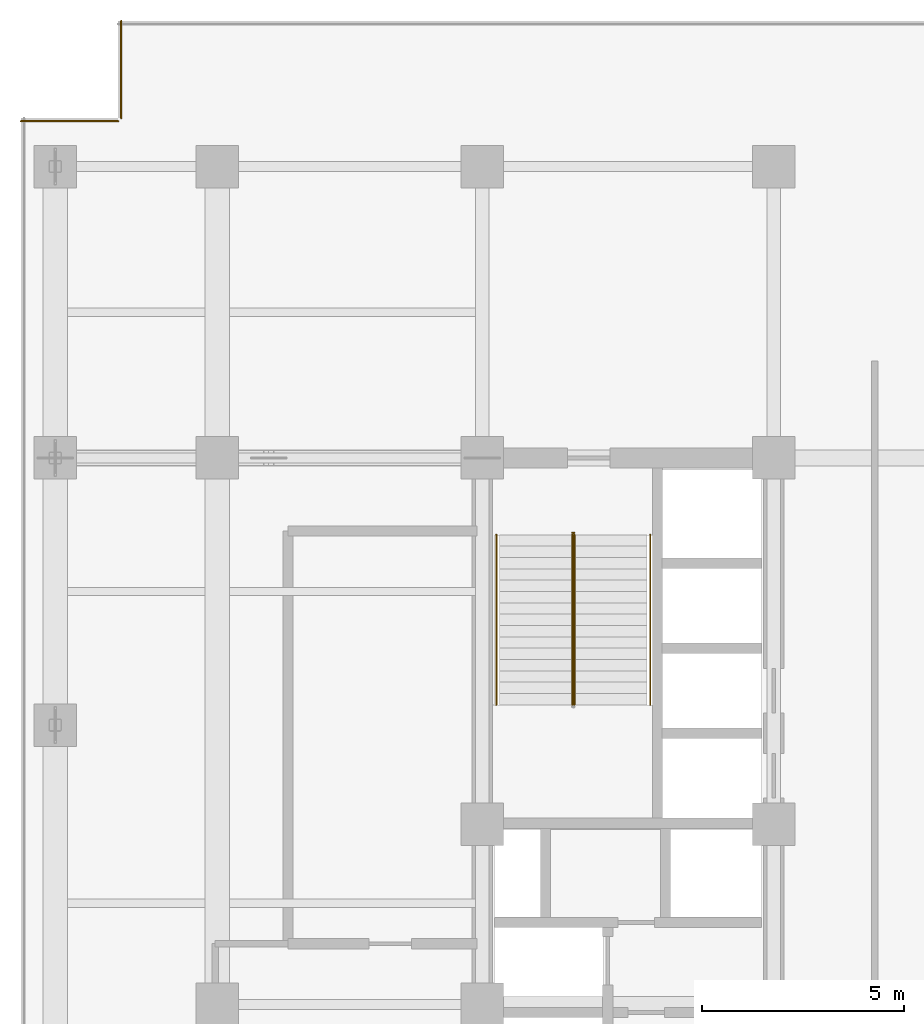
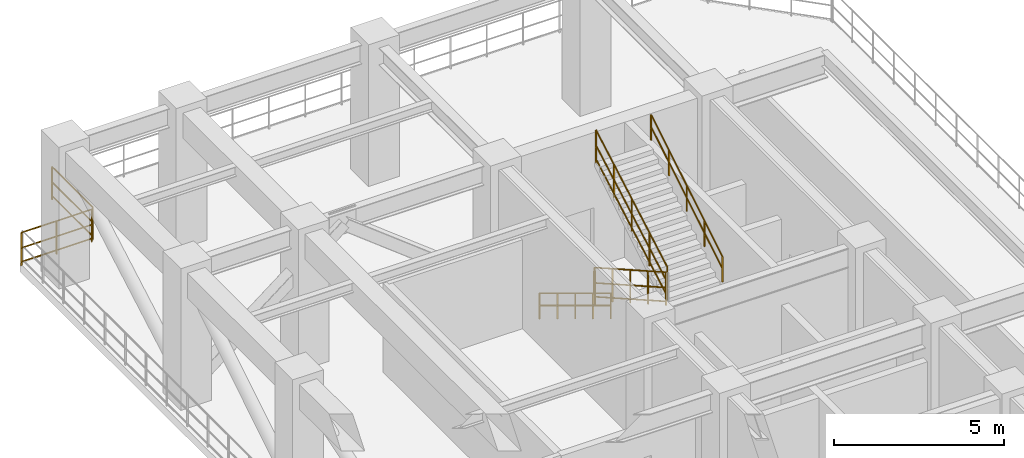
# One storey, part 15 of 16: 7 railings.
"""IFC4 building model written with IfcOpenShell, lengths in metres."""

from ifc_helpers import new_model, entity, si_unit, converted_unit, direction, frame, origin_with_axes, origin_2d_with_axis, place, context, subcontext, project, spatial, rectangle, circle, extrude, material, type_object, element, save


model = new_model("IFC4")

# Units and contexts
model_context = context("Model", 3, precision=1e-05, world=origin_with_axes(), true_north=direction((0.0, 1.0)))
body_context = subcontext(model_context, "Body", "Model", "MODEL_VIEW")
ifc_project = project(units=[si_unit("LENGTHUNIT", "METRE"), si_unit("AREAUNIT", "SQUARE_METRE"), si_unit("VOLUMEUNIT", "CUBIC_METRE"), converted_unit("PLANEANGLEUNIT", "DEGREE", entity("IfcPlaneAngleMeasure", 0.017453292519943295), si_unit("PLANEANGLEUNIT", "RADIAN"), dimensions=[0, 0, 0, 0, 0, 0, 0]), si_unit("MASSUNIT", "GRAM", prefix="KILO"), si_unit("THERMODYNAMICTEMPERATUREUNIT", "KELVIN")], contexts=[model_context])

# Site, building, storey
site_placement = place(None, origin_with_axes())
site = spatial("IfcSite", under=ifc_project, at=site_placement, CompositionType="ELEMENT")
building_placement = place(site_placement, origin_with_axes())
building = spatial("IfcBuilding", under=site, at=building_placement, Name="Varnlund Millrace Tower", CompositionType="ELEMENT")
storey_placement = place(building_placement, frame((0.0, 0.0, 187.5), z_axis=(0.0, 0.0, 1.0), x_axis=(1.0, 0.0, 0.0)))
storey = spatial("IfcBuildingStorey", under=building, at=storey_placement, Name="L46", CompositionType="ELEMENT", Elevation=187.5)

# Railings
ifc_material_1 = material(Name="Architectural bronze balustrade guard", Category="aluminium")
railing_type_1 = type_object("IfcRailingType", Name="Type-Guard-Perimeter-1150", PredefinedType="BALUSTRADE", material=ifc_material_1)
railing_1_placement = place(storey_placement, frame((0.0, 0.0, -187.5), z_axis=(0.0, 0.0, 1.0), x_axis=(1.0, 0.0, 0.0)))
element("IfcRailing", 1, at=railing_1_placement, inside=storey, type_object=railing_type_1, Name="Type-Guard-Perimeter-1150", PredefinedType="BALUSTRADE", context=body_context, shape_type="SweptSolid", body=[
    extrude(circle(Radius=0.024, at=origin_2d_with_axis()), frame((2.48, 48.6, 188.65), z_axis=(0.0, -1.0, 0.0), x_axis=(1.0, 0.0, 0.0)), (0.0, 0.0, 1.0), 2.4),
    extrude(circle(Radius=0.024, at=origin_2d_with_axis()), frame((2.48, 48.6, 187.6), z_axis=(0.0, -1.0, 0.0), x_axis=(1.0, 0.0, 0.0)), (0.0, 0.0, 1.0), 2.4),
    extrude(circle(Radius=0.024, at=origin_2d_with_axis()), frame((2.48, 48.6, 188.098), z_axis=(0.0, -1.0, 0.0), x_axis=(1.0, 0.0, 0.0)), (0.0, 0.0, 1.0), 2.4),
    extrude(rectangle(XDim=0.04, YDim=0.04, at=origin_2d_with_axis()), frame((2.48, 48.6, 187.46), z_axis=(0.0, 0.0, 1.0), x_axis=(1.0, 0.0, 0.0)), (0.0, 0.0, 1.0), 1.19),
    extrude(rectangle(XDim=0.04, YDim=0.04, at=origin_2d_with_axis()), frame((2.48, 46.2, 187.46), z_axis=(0.0, 0.0, 1.0), x_axis=(1.0, 0.0, 0.0)), (0.0, 0.0, 1.0), 1.19),
])
railing_2_placement = place(storey_placement, frame((0.0, 0.0, -187.5), z_axis=(0.0, 0.0, 1.0), x_axis=(1.0, 0.0, 0.0)))
element("IfcRailing", 2, at=railing_2_placement, inside=storey, type_object=railing_type_1, Name="Type-Guard-Perimeter-1150", PredefinedType="BALUSTRADE", context=body_context, shape_type="SweptSolid", body=[
    extrude(circle(Radius=0.024, at=origin_2d_with_axis()), frame((2.4, 46.12, 188.65), z_axis=(-1.0, 0.0, 0.0), x_axis=(0.0, -1.0, 0.0)), (0.0, 0.0, 1.0), 2.4),
    extrude(circle(Radius=0.024, at=origin_2d_with_axis()), frame((2.4, 46.12, 187.6), z_axis=(-1.0, 0.0, 0.0), x_axis=(0.0, -1.0, 0.0)), (0.0, 0.0, 1.0), 2.4),
    extrude(circle(Radius=0.024, at=origin_2d_with_axis()), frame((2.4, 46.12, 188.098), z_axis=(-1.0, 0.0, 0.0), x_axis=(0.0, -1.0, 0.0)), (0.0, 0.0, 1.0), 2.4),
    extrude(rectangle(XDim=0.04, YDim=0.04, at=origin_2d_with_axis()), frame((2.4, 46.12, 187.46), z_axis=(0.0, 0.0, 1.0), x_axis=(1.0, 0.0, 0.0)), (0.0, 0.0, 1.0), 1.19),
    extrude(rectangle(XDim=0.04, YDim=0.04, at=origin_2d_with_axis()), frame((1.2, 46.12, 187.46), z_axis=(0.0, 0.0, 1.0), x_axis=(1.0, 0.0, 0.0)), (0.0, 0.0, 1.0), 1.19),
    extrude(rectangle(XDim=0.04, YDim=0.04, at=origin_2d_with_axis()), frame((0.0, 46.12, 187.46), z_axis=(0.0, 0.0, 1.0), x_axis=(1.0, 0.0, 0.0)), (0.0, 0.0, 1.0), 1.19),
])
ifc_material_2 = material(Name="Painted steel stair well balustrade guard", Category="steel")
railing_type_2 = type_object("IfcRailingType", Name="Type-StairGuard-1150", PredefinedType="GUARDRAIL", material=ifc_material_2)
railing_3_placement = place(storey_placement, frame((0.0, 0.0, -187.5), z_axis=(0.0, 0.0, 1.0), x_axis=(1.0, 0.0, 0.0)))
element("IfcRailing", 3, at=railing_3_placement, inside=storey, type_object=railing_type_2, Name="Type-StairGuard-1150", PredefinedType="GUARDRAIL", context=body_context, shape_type="SweptSolid", body=[
    extrude(circle(Radius=0.024, at=origin_2d_with_axis()), frame((13.625, 35.9, 188.82), z_axis=(0.0, -0.870022, 0.493013), x_axis=(1.0, 0.0, 0.0)), (0.0, 0.0, 1.0), 4.827463),
    extrude(circle(Radius=0.024, at=origin_2d_with_axis()), frame((13.625, 35.9, 187.77), z_axis=(0.0, -0.870022, 0.493013), x_axis=(1.0, 0.0, 0.0)), (0.0, 0.0, 1.0), 4.827463),
    extrude(circle(Radius=0.024, at=origin_2d_with_axis()), frame((13.625, 35.9, 188.268), z_axis=(0.0, -0.870022, 0.493013), x_axis=(1.0, 0.0, 0.0)), (0.0, 0.0, 1.0), 4.827463),
    extrude(rectangle(XDim=0.04, YDim=0.04, at=origin_2d_with_axis()), frame((13.625, 35.9, 187.63), z_axis=(0.0, 0.0, 1.0), x_axis=(1.0, 0.0, 0.0)), (0.0, 0.0, 1.0), 1.19),
    extrude(rectangle(XDim=0.04, YDim=0.04, at=origin_2d_with_axis()), frame((13.625, 34.85, 188.225), z_axis=(0.0, 0.0, 1.0), x_axis=(1.0, 0.0, 0.0)), (0.0, 0.0, 1.0), 1.19),
    extrude(rectangle(XDim=0.04, YDim=0.04, at=origin_2d_with_axis()), frame((13.625, 33.8, 188.82), z_axis=(0.0, 0.0, 1.0), x_axis=(1.0, 0.0, 0.0)), (0.0, 0.0, 1.0), 1.19),
    extrude(rectangle(XDim=0.04, YDim=0.04, at=origin_2d_with_axis()), frame((13.625, 32.75, 189.415), z_axis=(0.0, 0.0, 1.0), x_axis=(1.0, 0.0, 0.0)), (0.0, 0.0, 1.0), 1.19),
    extrude(rectangle(XDim=0.04, YDim=0.04, at=origin_2d_with_axis()), frame((13.625, 31.7, 190.01), z_axis=(0.0, 0.0, 1.0), x_axis=(1.0, 0.0, 0.0)), (0.0, 0.0, 1.0), 1.19),
])
railing_4_placement = place(storey_placement, frame((0.0, 0.0, -187.5), z_axis=(0.0, 0.0, 1.0), x_axis=(1.0, 0.0, 0.0)))
element("IfcRailing", 4, at=railing_4_placement, inside=storey, type_object=railing_type_2, Name="Type-StairGuard-1150", PredefinedType="GUARDRAIL", context=body_context, shape_type="SweptSolid", body=[
    extrude(circle(Radius=0.024, at=origin_2d_with_axis()), frame((13.675, 31.7, 191.37), z_axis=(0.0, 0.870022, 0.493013), x_axis=(-1.0, 0.0, 0.0)), (0.0, 0.0, 1.0), 4.827463),
    extrude(circle(Radius=0.024, at=origin_2d_with_axis()), frame((13.675, 31.7, 190.32), z_axis=(0.0, 0.870022, 0.493013), x_axis=(-1.0, 0.0, 0.0)), (0.0, 0.0, 1.0), 4.827463),
    extrude(circle(Radius=0.024, at=origin_2d_with_axis()), frame((13.675, 31.7, 190.818), z_axis=(0.0, 0.870022, 0.493013), x_axis=(-1.0, 0.0, 0.0)), (0.0, 0.0, 1.0), 4.827463),
    extrude(rectangle(XDim=0.04, YDim=0.04, at=origin_2d_with_axis()), frame((13.675, 31.7, 190.18), z_axis=(0.0, 0.0, 1.0), x_axis=(1.0, 0.0, 0.0)), (0.0, 0.0, 1.0), 1.19),
    extrude(rectangle(XDim=0.04, YDim=0.04, at=origin_2d_with_axis()), frame((13.675, 32.75, 190.775), z_axis=(0.0, 0.0, 1.0), x_axis=(1.0, 0.0, 0.0)), (0.0, 0.0, 1.0), 1.19),
    extrude(rectangle(XDim=0.04, YDim=0.04, at=origin_2d_with_axis()), frame((13.675, 33.8, 191.37), z_axis=(0.0, 0.0, 1.0), x_axis=(1.0, 0.0, 0.0)), (0.0, 0.0, 1.0), 1.19),
    extrude(rectangle(XDim=0.04, YDim=0.04, at=origin_2d_with_axis()), frame((13.675, 34.85, 191.965), z_axis=(0.0, 0.0, 1.0), x_axis=(1.0, 0.0, 0.0)), (0.0, 0.0, 1.0), 1.19),
    extrude(rectangle(XDim=0.04, YDim=0.04, at=origin_2d_with_axis()), frame((13.675, 35.9, 192.56), z_axis=(0.0, 0.0, 1.0), x_axis=(1.0, 0.0, 0.0)), (0.0, 0.0, 1.0), 1.19),
])
railing_5_placement = place(storey_placement, frame((0.0, 0.0, -187.5), z_axis=(0.0, 0.0, 1.0), x_axis=(1.0, 0.0, 0.0)))
element("IfcRailing", 5, at=railing_5_placement, inside=storey, type_object=railing_type_2, Name="Type-StairGuard-1150", PredefinedType="GUARDRAIL", context=body_context, shape_type="SweptSolid", body=[
    extrude(circle(Radius=0.024, at=origin_2d_with_axis()), frame((13.675, 35.95, 188.65), z_axis=(-1.0, 0.0, 0.0), x_axis=(0.0, -1.0, 0.0)), (0.0, 0.0, 1.0), 0.05),
    extrude(circle(Radius=0.024, at=origin_2d_with_axis()), frame((13.675, 35.95, 187.6), z_axis=(-1.0, 0.0, 0.0), x_axis=(0.0, -1.0, 0.0)), (0.0, 0.0, 1.0), 0.05),
    extrude(circle(Radius=0.024, at=origin_2d_with_axis()), frame((13.675, 35.95, 188.098), z_axis=(-1.0, 0.0, 0.0), x_axis=(0.0, -1.0, 0.0)), (0.0, 0.0, 1.0), 0.05),
    extrude(rectangle(XDim=0.04, YDim=0.04, at=origin_2d_with_axis()), frame((13.675, 35.95, 187.46), z_axis=(0.0, 0.0, 1.0), x_axis=(1.0, 0.0, 0.0)), (0.0, 0.0, 1.0), 1.19),
    extrude(rectangle(XDim=0.04, YDim=0.04, at=origin_2d_with_axis()), frame((13.625, 35.95, 187.46), z_axis=(0.0, 0.0, 1.0), x_axis=(1.0, 0.0, 0.0)), (0.0, 0.0, 1.0), 1.19),
])
ifc_material_3 = material(Name="Brushed architectural bronze stair handrail", Category="aluminium")
railing_type_3 = type_object("IfcRailingType", Name="Type-StairHandrail-900", PredefinedType="HANDRAIL", material=ifc_material_3)
railing_6_placement = place(storey_placement, frame((0.0, 0.0, -187.5), z_axis=(0.0, 0.0, 1.0), x_axis=(1.0, 0.0, 0.0)))
element("IfcRailing", 6, at=railing_6_placement, inside=storey, type_object=railing_type_3, Name="Type-StairHandrail-900", PredefinedType="HANDRAIL", context=body_context, shape_type="SweptSolid", body=[
    extrude(circle(Radius=0.024, at=origin_2d_with_axis()), frame((11.75, 35.9, 188.549485), z_axis=(0.0, -0.854788, 0.518978), x_axis=(1.0, 0.0, 0.0)), (0.0, 0.0, 1.0), 4.913502),
    extrude(circle(Radius=0.024, at=origin_2d_with_axis()), frame((11.75, 35.9, 188.109743), z_axis=(0.0, -0.854788, 0.518978), x_axis=(1.0, 0.0, 0.0)), (0.0, 0.0, 1.0), 4.913502),
    extrude(rectangle(XDim=0.04, YDim=0.04, at=origin_2d_with_axis()), frame((11.75, 35.9, 187.63), z_axis=(0.0, 0.0, 1.0), x_axis=(1.0, 0.0, 0.0)), (0.0, 0.0, 1.0), 0.919485),
    extrude(rectangle(XDim=0.04, YDim=0.04, at=origin_2d_with_axis()), frame((11.75, 34.85, 188.2675), z_axis=(0.0, 0.0, 1.0), x_axis=(1.0, 0.0, 0.0)), (0.0, 0.0, 1.0), 0.919485),
    extrude(rectangle(XDim=0.04, YDim=0.04, at=origin_2d_with_axis()), frame((11.75, 33.8, 188.905), z_axis=(0.0, 0.0, 1.0), x_axis=(1.0, 0.0, 0.0)), (0.0, 0.0, 1.0), 0.919485),
    extrude(rectangle(XDim=0.04, YDim=0.04, at=origin_2d_with_axis()), frame((11.75, 32.75, 189.5425), z_axis=(0.0, 0.0, 1.0), x_axis=(1.0, 0.0, 0.0)), (0.0, 0.0, 1.0), 0.919485),
    extrude(rectangle(XDim=0.04, YDim=0.04, at=origin_2d_with_axis()), frame((11.75, 31.7, 190.18), z_axis=(0.0, 0.0, 1.0), x_axis=(1.0, 0.0, 0.0)), (0.0, 0.0, 1.0), 0.919485),
])
railing_7_placement = place(storey_placement, frame((0.0, 0.0, -187.5), z_axis=(0.0, 0.0, 1.0), x_axis=(1.0, 0.0, 0.0)))
element("IfcRailing", 7, at=railing_7_placement, inside=storey, type_object=railing_type_3, Name="Type-StairHandrail-900", PredefinedType="HANDRAIL", context=body_context, shape_type="SweptSolid", body=[
    extrude(circle(Radius=0.024, at=origin_2d_with_axis()), frame((15.55, 31.7, 191.099485), z_axis=(0.0, 0.854788, 0.518978), x_axis=(-1.0, 0.0, 0.0)), (0.0, 0.0, 1.0), 4.913502),
    extrude(circle(Radius=0.024, at=origin_2d_with_axis()), frame((15.55, 31.7, 190.659743), z_axis=(0.0, 0.854788, 0.518978), x_axis=(-1.0, 0.0, 0.0)), (0.0, 0.0, 1.0), 4.913502),
    extrude(rectangle(XDim=0.04, YDim=0.04, at=origin_2d_with_axis()), frame((15.55, 31.7, 190.18), z_axis=(0.0, 0.0, 1.0), x_axis=(1.0, 0.0, 0.0)), (0.0, 0.0, 1.0), 0.919485),
    extrude(rectangle(XDim=0.04, YDim=0.04, at=origin_2d_with_axis()), frame((15.55, 32.75, 190.8175), z_axis=(0.0, 0.0, 1.0), x_axis=(1.0, 0.0, 0.0)), (0.0, 0.0, 1.0), 0.919485),
    extrude(rectangle(XDim=0.04, YDim=0.04, at=origin_2d_with_axis()), frame((15.55, 33.8, 191.455), z_axis=(0.0, 0.0, 1.0), x_axis=(1.0, 0.0, 0.0)), (0.0, 0.0, 1.0), 0.919485),
    extrude(rectangle(XDim=0.04, YDim=0.04, at=origin_2d_with_axis()), frame((15.55, 34.85, 192.0925), z_axis=(0.0, 0.0, 1.0), x_axis=(1.0, 0.0, 0.0)), (0.0, 0.0, 1.0), 0.919485),
    extrude(rectangle(XDim=0.04, YDim=0.04, at=origin_2d_with_axis()), frame((15.55, 35.9, 192.73), z_axis=(0.0, 0.0, 1.0), x_axis=(1.0, 0.0, 0.0)), (0.0, 0.0, 1.0), 0.919485),
])

save(model, "model.ifc")
